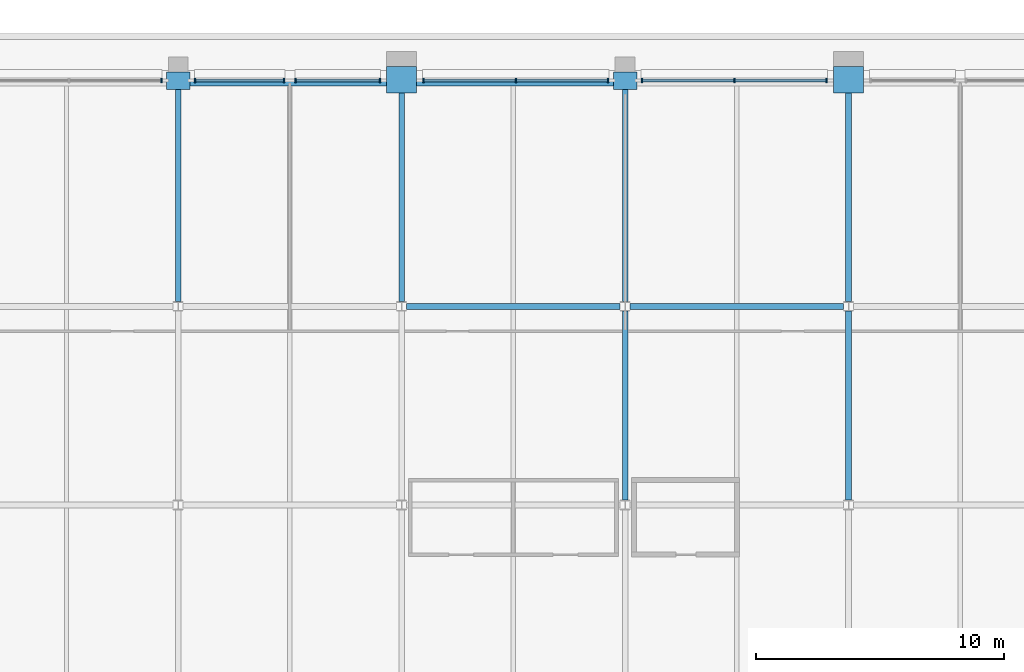
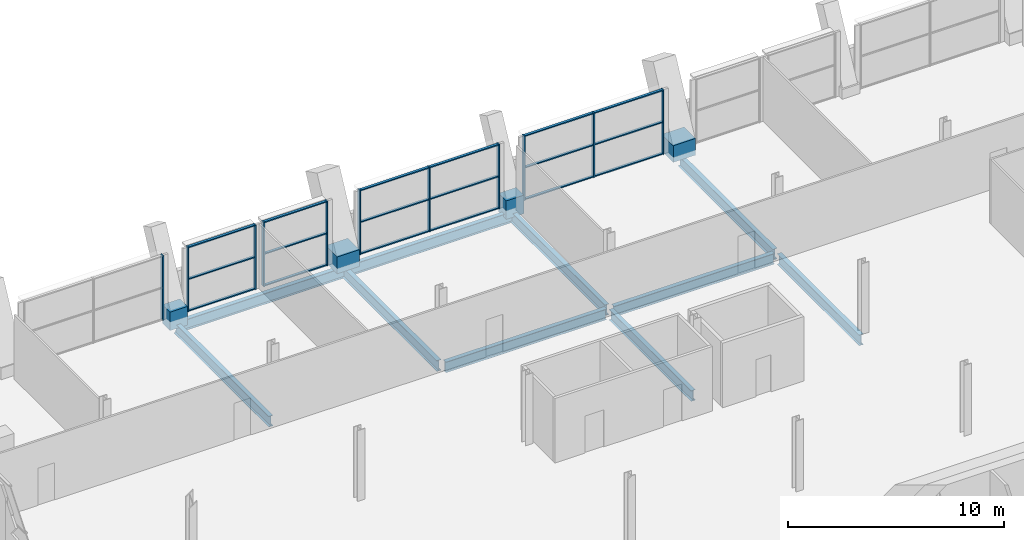
# One storey, part 10 of 25: 29 members, 13 beams, 5 elements without a shape of their own.
"""IFC4 building model written with IfcOpenShell, lengths in metres."""

from ifc_helpers import new_model, si_unit, direction, frame, origin, origin_2d, place, context, subcontext, project, spatial, rectangle, i_section, extrude, material, material_profile, profile_set, type_object, element, aggregate, save


model = new_model("IFC4")

# Units and contexts
model_context = context("Model", 3, precision=1e-05, world=origin(), true_north=direction((0.0, 1.0)))
body_context = subcontext(model_context, "Body", "Model", "MODEL_VIEW")
ifc_project = project(units=[si_unit("LENGTHUNIT", "METRE"), si_unit("AREAUNIT", "SQUARE_METRE"), si_unit("VOLUMEUNIT", "CUBIC_METRE"), si_unit("PLANEANGLEUNIT", "RADIAN"), si_unit("MASSUNIT", "GRAM", prefix="KILO")], contexts=[model_context])

# Site, building, storey
site_placement = place(None, origin())
site = spatial("IfcSite", under=ifc_project, at=site_placement, CompositionType="ELEMENT")
building_placement = place(site_placement, origin())
building = spatial("IfcBuilding", under=site, at=building_placement, Name="Zellij Exchange Tower", CompositionType="ELEMENT")
storey_placement = place(building_placement, frame((0.0, 0.0, 264.5)))
storey = spatial("IfcBuildingStorey", under=building, at=storey_placement, Name="L62", CompositionType="ELEMENT", Elevation=264.5)

# Curtain wall, members
ifc_material_1 = material(Name="Aluminium frame, clear insulating glass", Category="aluminium")
curtain_wall_type = type_object("IfcCurtainWallType", Name="ENV-CW6 Sky-lobby glazing", PredefinedType="NOTDEFINED", material=ifc_material_1)
curtain_wall_1_placement = place(storey_placement, origin())
curtain_wall_1 = element("IfcCurtainWall", 1, at=curtain_wall_1_placement, inside=storey, type_object=curtain_wall_type, Name="cw.L62.14e", PredefinedType="NOTDEFINED")
ifc_material_2 = material(Name="Aluminium", Category="aluminium")
ifc_material_profile_1 = material_profile(ifc_material_2, rectangle(XDim=0.06005859375, YDim=0.199951171875, at=origin_2d()), Name="AL 60x200")
ifc_profile_set_1 = profile_set([ifc_material_profile_1], Name="Aluminium")
member_type_1 = type_object("IfcMemberType", Name="ENV-CW6M Mullion 60x200", PredefinedType="MULLION", material=ifc_profile_set_1)
member_1_placement = place(storey_placement, frame((8.1201171875, 31.10009765625, 0.0), z_axis=(0.0, 0.0, 1.0), x_axis=(-1.0, 0.0, 0.0)))
member_1 = element("IfcMember", 2, at=member_1_placement, type_object=member_type_1, Name="CW6 mullion 1", PredefinedType="MULLION", context=body_context, shape_type="SweptSolid", body=[
    extrude(rectangle(XDim=0.06005859375, YDim=0.199951171875, at=origin_2d()), origin(), (0.0, 0.0, 1.0), 3.64990234375),
])
member_2_placement = place(storey_placement, frame((4.39990234375, 31.10009765625, 0.0), z_axis=(0.0, 0.0, 1.0), x_axis=(-1.0, 0.0, 0.0)))
member_2 = element("IfcMember", 3, at=member_2_placement, type_object=member_type_1, Name="CW6 mullion 2", PredefinedType="MULLION", context=body_context, shape_type="SweptSolid", body=[
    extrude(rectangle(XDim=0.06005859375, YDim=0.199951171875, at=origin_2d()), origin(), (0.0, 0.0, 1.0), 3.64990234375),
])
member_3_placement = place(storey_placement, frame((0.679931640625, 31.10009765625, 0.0), z_axis=(0.0, 0.0, 1.0), x_axis=(-1.0, 0.0, 0.0)))
member_3 = element("IfcMember", 4, at=member_3_placement, type_object=member_type_1, Name="CW6 mullion 3", PredefinedType="MULLION", context=body_context, shape_type="SweptSolid", body=[
    extrude(rectangle(XDim=0.06005859375, YDim=0.199951171875, at=origin_2d()), origin(), (0.0, 0.0, 1.0), 3.64990234375),
])

curtain_wall_2_placement = place(storey_placement, origin())
curtain_wall_2 = element("IfcCurtainWall", 5, at=curtain_wall_2_placement, inside=storey, type_object=curtain_wall_type, Name="cw.L62.14f", PredefinedType="NOTDEFINED")
member_4_placement = place(storey_placement, frame((-0.679931640625, 31.10009765625, 0.0), z_axis=(0.0, 0.0, 1.0), x_axis=(-1.0, 0.0, 0.0)))
member_4 = element("IfcMember", 6, at=member_4_placement, type_object=member_type_1, Name="CW6 mullion 1", PredefinedType="MULLION", context=body_context, shape_type="SweptSolid", body=[
    extrude(rectangle(XDim=0.06005859375, YDim=0.199951171875, at=origin_2d()), origin(), (0.0, 0.0, 1.0), 3.64990234375),
])
member_5_placement = place(storey_placement, frame((-4.39990234375, 31.10009765625, 0.0), z_axis=(0.0, 0.0, 1.0), x_axis=(-1.0, 0.0, 0.0)))
member_5 = element("IfcMember", 7, at=member_5_placement, type_object=member_type_1, Name="CW6 mullion 2", PredefinedType="MULLION", context=body_context, shape_type="SweptSolid", body=[
    extrude(rectangle(XDim=0.06005859375, YDim=0.199951171875, at=origin_2d()), origin(), (0.0, 0.0, 1.0), 3.64990234375),
])
member_6_placement = place(storey_placement, frame((-8.1201171875, 31.10009765625, 0.0), z_axis=(0.0, 0.0, 1.0), x_axis=(-1.0, 0.0, 0.0)))
member_6 = element("IfcMember", 8, at=member_6_placement, type_object=member_type_1, Name="CW6 mullion 3", PredefinedType="MULLION", context=body_context, shape_type="SweptSolid", body=[
    extrude(rectangle(XDim=0.06005859375, YDim=0.199951171875, at=origin_2d()), origin(), (0.0, 0.0, 1.0), 3.64990234375),
])

curtain_wall_3_placement = place(storey_placement, origin())
curtain_wall_3 = element("IfcCurtainWall", 9, at=curtain_wall_3_placement, inside=storey, type_object=curtain_wall_type, Name="cw.L62.14g", PredefinedType="NOTDEFINED")
member_7_placement = place(storey_placement, frame((-9.8798828125, 31.10009765625, 0.0), z_axis=(0.0, 0.0, 1.0), x_axis=(-1.0, 0.0, 0.0)))
member_7 = element("IfcMember", 10, at=member_7_placement, type_object=member_type_1, Name="CW6 mullion 1", PredefinedType="MULLION", context=body_context, shape_type="SweptSolid", body=[
    extrude(rectangle(XDim=0.06005859375, YDim=0.199951171875, at=origin_2d()), origin(), (0.0, 0.0, 1.0), 3.64990234375),
])
member_8_placement = place(storey_placement, frame((-13.27001953125, 31.10009765625, 0.0), z_axis=(0.0, 0.0, 1.0), x_axis=(-1.0, 0.0, 0.0)))
member_8 = element("IfcMember", 11, at=member_8_placement, type_object=member_type_1, Name="CW6 mullion 2", PredefinedType="MULLION", context=body_context, shape_type="SweptSolid", body=[
    extrude(rectangle(XDim=0.06005859375, YDim=0.199951171875, at=origin_2d()), origin(), (0.0, 0.0, 1.0), 3.64990234375),
])

curtain_wall_4_placement = place(storey_placement, origin())
curtain_wall_4 = element("IfcCurtainWall", 12, at=curtain_wall_4_placement, inside=storey, type_object=curtain_wall_type, Name="cw.L62.14h", PredefinedType="NOTDEFINED")
member_9_placement = place(storey_placement, frame((-13.72998046875, 31.10009765625, 0.0), z_axis=(0.0, 0.0, 1.0), x_axis=(-1.0, 0.0, 0.0)))
member_9 = element("IfcMember", 13, at=member_9_placement, type_object=member_type_1, Name="CW6 mullion 1", PredefinedType="MULLION", context=body_context, shape_type="SweptSolid", body=[
    extrude(rectangle(XDim=0.06005859375, YDim=0.199951171875, at=origin_2d()), origin(), (0.0, 0.0, 1.0), 3.64990234375),
])
member_10_placement = place(storey_placement, frame((-17.320068359375, 31.10009765625, 0.0), z_axis=(0.0, 0.0, 1.0), x_axis=(-1.0, 0.0, 0.0)))
member_10 = element("IfcMember", 14, at=member_10_placement, type_object=member_type_1, Name="CW6 mullion 2", PredefinedType="MULLION", context=body_context, shape_type="SweptSolid", body=[
    extrude(rectangle(XDim=0.06005859375, YDim=0.199951171875, at=origin_2d()), origin(), (0.0, 0.0, 1.0), 3.64990234375),
])

# Curtain wall, member
curtain_wall_5_placement = place(storey_placement, origin())
curtain_wall_5 = element("IfcCurtainWall", 15, at=curtain_wall_5_placement, inside=storey, type_object=curtain_wall_type, Name="cw.L62.14i", PredefinedType="NOTDEFINED")
member_11_placement = place(storey_placement, frame((-18.679931640625, 31.10009765625, 0.0), z_axis=(0.0, 0.0, 1.0), x_axis=(-1.0, 0.0, 0.0)))
member_11 = element("IfcMember", 16, at=member_11_placement, type_object=member_type_1, Name="CW6 mullion 1", PredefinedType="MULLION", context=body_context, shape_type="SweptSolid", body=[
    extrude(rectangle(XDim=0.06005859375, YDim=0.199951171875, at=origin_2d()), origin(), (0.0, 0.0, 1.0), 3.64990234375),
])
aggregate(curtain_wall_5, [member_11])

# Member
ifc_material_profile_2 = material_profile(ifc_material_2, rectangle(XDim=0.139892578125, YDim=0.06005859375, at=origin_2d()), Name="AL 140x60")
ifc_profile_set_2 = profile_set([ifc_material_profile_2], Name="Aluminium")
member_type_2 = type_object("IfcMemberType", Name="ENV-CW6T Transom 140x60", PredefinedType="USERDEFINED", material=ifc_profile_set_2)
member_12_placement = place(storey_placement, frame((8.090087890625, 31.10009765625, 0.030029296875), z_axis=(-1.0, 0.0, 0.0), x_axis=(0.0, -1.0, 0.0)))
member_12 = element("IfcMember", 17, at=member_12_placement, type_object=member_type_2, Name="CW6 transom 1.1", ObjectType="TRANSOM", PredefinedType="USERDEFINED", context=body_context, shape_type="SweptSolid", body=[
    extrude(rectangle(XDim=0.139892578125, YDim=0.06005859375, at=origin_2d()), origin(), (0.0, 0.0, 1.0), 3.66015625),
])

member_13_placement = place(storey_placement, frame((8.090087890625, 31.10009765625, 1.824951171875), z_axis=(-1.0, 0.0, 0.0), x_axis=(0.0, -1.0, 0.0)))
member_13 = element("IfcMember", 18, at=member_13_placement, type_object=member_type_2, Name="CW6 transom 1.2", ObjectType="TRANSOM", PredefinedType="USERDEFINED", context=body_context, shape_type="SweptSolid", body=[
    extrude(rectangle(XDim=0.139892578125, YDim=0.06005859375, at=origin_2d()), origin(), (0.0, 0.0, 1.0), 3.66015625),
])

member_14_placement = place(storey_placement, frame((8.090087890625, 31.10009765625, 3.6201171875), z_axis=(-1.0, 0.0, 0.0), x_axis=(0.0, -1.0, 0.0)))
member_14 = element("IfcMember", 19, at=member_14_placement, type_object=member_type_2, Name="CW6 transom 1.3", ObjectType="TRANSOM", PredefinedType="USERDEFINED", context=body_context, shape_type="SweptSolid", body=[
    extrude(rectangle(XDim=0.139892578125, YDim=0.06005859375, at=origin_2d()), origin(), (0.0, 0.0, 1.0), 3.66015625),
])

member_15_placement = place(storey_placement, frame((4.3701171875, 31.10009765625, 0.030029296875), z_axis=(-1.0, 0.0, 0.0), x_axis=(0.0, -1.0, 0.0)))
member_15 = element("IfcMember", 20, at=member_15_placement, type_object=member_type_2, Name="CW6 transom 2.1", ObjectType="TRANSOM", PredefinedType="USERDEFINED", context=body_context, shape_type="SweptSolid", body=[
    extrude(rectangle(XDim=0.139892578125, YDim=0.06005859375, at=origin_2d()), origin(), (0.0, 0.0, 1.0), 3.66015625),
])

member_16_placement = place(storey_placement, frame((4.3701171875, 31.10009765625, 1.824951171875), z_axis=(-1.0, 0.0, 0.0), x_axis=(0.0, -1.0, 0.0)))
member_16 = element("IfcMember", 21, at=member_16_placement, type_object=member_type_2, Name="CW6 transom 2.2", ObjectType="TRANSOM", PredefinedType="USERDEFINED", context=body_context, shape_type="SweptSolid", body=[
    extrude(rectangle(XDim=0.139892578125, YDim=0.06005859375, at=origin_2d()), origin(), (0.0, 0.0, 1.0), 3.66015625),
])

member_17_placement = place(storey_placement, frame((4.3701171875, 31.10009765625, 3.6201171875), z_axis=(-1.0, 0.0, 0.0), x_axis=(0.0, -1.0, 0.0)))
member_17 = element("IfcMember", 22, at=member_17_placement, type_object=member_type_2, Name="CW6 transom 2.3", ObjectType="TRANSOM", PredefinedType="USERDEFINED", context=body_context, shape_type="SweptSolid", body=[
    extrude(rectangle(XDim=0.139892578125, YDim=0.06005859375, at=origin_2d()), origin(), (0.0, 0.0, 1.0), 3.66015625),
])

aggregate(curtain_wall_1, [member_1, member_2, member_3, member_12, member_13, member_14, member_15, member_16, member_17])

member_18_placement = place(storey_placement, frame((-0.7099609375, 31.10009765625, 0.030029296875), z_axis=(-1.0, 0.0, 0.0), x_axis=(0.0, -1.0, 0.0)))
member_18 = element("IfcMember", 23, at=member_18_placement, type_object=member_type_2, Name="CW6 transom 1.1", ObjectType="TRANSOM", PredefinedType="USERDEFINED", context=body_context, shape_type="SweptSolid", body=[
    extrude(rectangle(XDim=0.139892578125, YDim=0.06005859375, at=origin_2d()), origin(), (0.0, 0.0, 1.0), 3.66015625),
])

member_19_placement = place(storey_placement, frame((-0.7099609375, 31.10009765625, 1.824951171875), z_axis=(-1.0, 0.0, 0.0), x_axis=(0.0, -1.0, 0.0)))
member_19 = element("IfcMember", 24, at=member_19_placement, type_object=member_type_2, Name="CW6 transom 1.2", ObjectType="TRANSOM", PredefinedType="USERDEFINED", context=body_context, shape_type="SweptSolid", body=[
    extrude(rectangle(XDim=0.139892578125, YDim=0.06005859375, at=origin_2d()), origin(), (0.0, 0.0, 1.0), 3.66015625),
])

member_20_placement = place(storey_placement, frame((-0.7099609375, 31.10009765625, 3.6201171875), z_axis=(-1.0, 0.0, 0.0), x_axis=(0.0, -1.0, 0.0)))
member_20 = element("IfcMember", 25, at=member_20_placement, type_object=member_type_2, Name="CW6 transom 1.3", ObjectType="TRANSOM", PredefinedType="USERDEFINED", context=body_context, shape_type="SweptSolid", body=[
    extrude(rectangle(XDim=0.139892578125, YDim=0.06005859375, at=origin_2d()), origin(), (0.0, 0.0, 1.0), 3.66015625),
])

member_21_placement = place(storey_placement, frame((-4.429931640625, 31.10009765625, 0.030029296875), z_axis=(-1.0, 0.0, 0.0), x_axis=(0.0, -1.0, 0.0)))
member_21 = element("IfcMember", 26, at=member_21_placement, type_object=member_type_2, Name="CW6 transom 2.1", ObjectType="TRANSOM", PredefinedType="USERDEFINED", context=body_context, shape_type="SweptSolid", body=[
    extrude(rectangle(XDim=0.139892578125, YDim=0.06005859375, at=origin_2d()), origin(), (0.0, 0.0, 1.0), 3.66015625),
])

member_22_placement = place(storey_placement, frame((-4.429931640625, 31.10009765625, 1.824951171875), z_axis=(-1.0, 0.0, 0.0), x_axis=(0.0, -1.0, 0.0)))
member_22 = element("IfcMember", 27, at=member_22_placement, type_object=member_type_2, Name="CW6 transom 2.2", ObjectType="TRANSOM", PredefinedType="USERDEFINED", context=body_context, shape_type="SweptSolid", body=[
    extrude(rectangle(XDim=0.139892578125, YDim=0.06005859375, at=origin_2d()), origin(), (0.0, 0.0, 1.0), 3.66015625),
])

member_23_placement = place(storey_placement, frame((-4.429931640625, 31.10009765625, 3.6201171875), z_axis=(-1.0, 0.0, 0.0), x_axis=(0.0, -1.0, 0.0)))
member_23 = element("IfcMember", 28, at=member_23_placement, type_object=member_type_2, Name="CW6 transom 2.3", ObjectType="TRANSOM", PredefinedType="USERDEFINED", context=body_context, shape_type="SweptSolid", body=[
    extrude(rectangle(XDim=0.139892578125, YDim=0.06005859375, at=origin_2d()), origin(), (0.0, 0.0, 1.0), 3.66015625),
])

aggregate(curtain_wall_2, [member_4, member_5, member_6, member_18, member_19, member_20, member_21, member_22, member_23])

member_24_placement = place(storey_placement, frame((-9.909912109375, 31.10009765625, 0.030029296875), z_axis=(-1.0, 0.0, 0.0), x_axis=(0.0, -1.0, 0.0)))
member_24 = element("IfcMember", 29, at=member_24_placement, type_object=member_type_2, Name="CW6 transom 1.1", ObjectType="TRANSOM", PredefinedType="USERDEFINED", context=body_context, shape_type="SweptSolid", body=[
    extrude(rectangle(XDim=0.139892578125, YDim=0.06005859375, at=origin_2d()), origin(), (0.0, 0.0, 1.0), 3.330078125),
])

member_25_placement = place(storey_placement, frame((-9.909912109375, 31.10009765625, 1.824951171875), z_axis=(-1.0, 0.0, 0.0), x_axis=(0.0, -1.0, 0.0)))
member_25 = element("IfcMember", 30, at=member_25_placement, type_object=member_type_2, Name="CW6 transom 1.2", ObjectType="TRANSOM", PredefinedType="USERDEFINED", context=body_context, shape_type="SweptSolid", body=[
    extrude(rectangle(XDim=0.139892578125, YDim=0.06005859375, at=origin_2d()), origin(), (0.0, 0.0, 1.0), 3.330078125),
])

member_26_placement = place(storey_placement, frame((-9.909912109375, 31.10009765625, 3.6201171875), z_axis=(-1.0, 0.0, 0.0), x_axis=(0.0, -1.0, 0.0)))
member_26 = element("IfcMember", 31, at=member_26_placement, type_object=member_type_2, Name="CW6 transom 1.3", ObjectType="TRANSOM", PredefinedType="USERDEFINED", context=body_context, shape_type="SweptSolid", body=[
    extrude(rectangle(XDim=0.139892578125, YDim=0.06005859375, at=origin_2d()), origin(), (0.0, 0.0, 1.0), 3.330078125),
])

aggregate(curtain_wall_3, [member_7, member_8, member_24, member_25, member_26])

member_27_placement = place(storey_placement, frame((-13.760009765625, 31.10009765625, 0.030029296875), z_axis=(-1.0, 0.0, 0.0), x_axis=(0.0, -1.0, 0.0)))
member_27 = element("IfcMember", 32, at=member_27_placement, type_object=member_type_2, Name="CW6 transom 1.1", ObjectType="TRANSOM", PredefinedType="USERDEFINED", context=body_context, shape_type="SweptSolid", body=[
    extrude(rectangle(XDim=0.139892578125, YDim=0.06005859375, at=origin_2d()), origin(), (0.0, 0.0, 1.0), 3.530029296875),
])

member_28_placement = place(storey_placement, frame((-13.760009765625, 31.10009765625, 1.824951171875), z_axis=(-1.0, 0.0, 0.0), x_axis=(0.0, -1.0, 0.0)))
member_28 = element("IfcMember", 33, at=member_28_placement, type_object=member_type_2, Name="CW6 transom 1.2", ObjectType="TRANSOM", PredefinedType="USERDEFINED", context=body_context, shape_type="SweptSolid", body=[
    extrude(rectangle(XDim=0.139892578125, YDim=0.06005859375, at=origin_2d()), origin(), (0.0, 0.0, 1.0), 3.530029296875),
])

member_29_placement = place(storey_placement, frame((-13.760009765625, 31.10009765625, 3.6201171875), z_axis=(-1.0, 0.0, 0.0), x_axis=(0.0, -1.0, 0.0)))
member_29 = element("IfcMember", 34, at=member_29_placement, type_object=member_type_2, Name="CW6 transom 1.3", ObjectType="TRANSOM", PredefinedType="USERDEFINED", context=body_context, shape_type="SweptSolid", body=[
    extrude(rectangle(XDim=0.139892578125, YDim=0.06005859375, at=origin_2d()), origin(), (0.0, 0.0, 1.0), 3.530029296875),
])

aggregate(curtain_wall_4, [member_9, member_10, member_27, member_28, member_29])

# Beams
ifc_material_3 = material(Name="Structural steel ASTM A992 Gr 50", Category="steel")
ifc_material_profile_3 = material_profile(ifc_material_3, i_section(OverallWidth=0.228271484375, OverallDepth=0.607177734375, WebThickness=0.01123046875, FlangeThickness=0.017333984375, at=origin_2d()), Name="W24x76")
ifc_profile_set_3 = profile_set([ifc_material_profile_3], Name="Structural steel ASTM A992 Gr 50")
beam_type_1 = type_object("IfcBeamType", Name="STR-GIRDER W24x76", PredefinedType="BEAM", material=ifc_profile_set_3)
for number, where, z_axis, x_axis, name in (
    (35, (-8.800537109375, 22.0, -0.603515625), (1.0, 0.0, 0.0), (0.0, 1.0, 0.0), "G2"),
    (36, (0.199462890625, 22.0, -0.603515625), (1.0, 0.0, 0.0), (0.0, 1.0, 0.0), "G2"),
):
    element("IfcBeam", number, at=place(storey_placement, frame(where, z_axis=z_axis, x_axis=x_axis)), inside=storey, type_object=beam_type_1, Name=name, PredefinedType="BEAM", context=body_context, shape_type="SweptSolid", body=[
        extrude(i_section(OverallWidth=0.228271484375, OverallDepth=0.607177734375, WebThickness=0.01123046875, FlangeThickness=0.017333984375, at=origin_2d()), origin(), (0.0, 0.0, 1.0), 8.60107421875),
    ])
beam_1_placement = place(storey_placement, frame((-18.0, 31.0, -0.603515625), z_axis=(1.0, 0.0, 0.0), x_axis=(0.0, 1.0, 0.0)))
element("IfcBeam", 37, at=beam_1_placement, inside=storey, type_object=beam_type_1, Name="G2", PredefinedType="BEAM", context=body_context, shape_type="SweptSolid", body=[
    extrude(i_section(OverallWidth=0.228271484375, OverallDepth=0.607177734375, WebThickness=0.01123046875, FlangeThickness=0.017333984375, at=origin_2d()), origin(), (0.0, 0.0, 1.0), 18.0),
])
for number, where, z_axis, x_axis, name in (
    (38, (-18.0, 22.193115234375, -0.603515625), (0.0, 1.0, 0.0), (-1.0, 0.0, 0.0), "G2"),
    (39, (-9.0, 22.193115234375, -0.603515625), (0.0, 1.0, 0.0), (-1.0, 0.0, 0.0), "G2"),
):
    element("IfcBeam", number, at=place(storey_placement, frame(where, z_axis=z_axis, x_axis=x_axis)), inside=storey, type_object=beam_type_1, Name=name, PredefinedType="BEAM", context=body_context, shape_type="SweptSolid", body=[
        extrude(i_section(OverallWidth=0.228271484375, OverallDepth=0.607177734375, WebThickness=0.01123046875, FlangeThickness=0.017333984375, at=origin_2d()), origin(), (0.0, 0.0, 1.0), 8.806884765625),
    ])
beam_2_placement = place(storey_placement, frame((0.0, 14.193115234375, -0.603515625), z_axis=(0.0, 1.0, 0.0), x_axis=(-1.0, 0.0, 0.0)))
element("IfcBeam", 40, at=beam_2_placement, inside=storey, type_object=beam_type_1, Name="G2", PredefinedType="BEAM", context=body_context, shape_type="SweptSolid", body=[
    extrude(i_section(OverallWidth=0.228271484375, OverallDepth=0.607177734375, WebThickness=0.01123046875, FlangeThickness=0.017333984375, at=origin_2d()), origin(), (0.0, 0.0, 1.0), 7.61376953125),
])
beam_3_placement = place(storey_placement, frame((0.0, 22.193115234375, -0.603515625), z_axis=(0.0, 1.0, 0.0), x_axis=(-1.0, 0.0, 0.0)))
element("IfcBeam", 41, at=beam_3_placement, inside=storey, type_object=beam_type_1, Name="G2", PredefinedType="BEAM", context=body_context, shape_type="SweptSolid", body=[
    extrude(i_section(OverallWidth=0.228271484375, OverallDepth=0.607177734375, WebThickness=0.01123046875, FlangeThickness=0.017333984375, at=origin_2d()), origin(), (0.0, 0.0, 1.0), 8.806884765625),
])
beam_4_placement = place(storey_placement, frame((9.0, 14.193115234375, -0.603515625), z_axis=(0.0, 1.0, 0.0), x_axis=(-1.0, 0.0, 0.0)))
element("IfcBeam", 42, at=beam_4_placement, inside=storey, type_object=beam_type_1, Name="G2", PredefinedType="BEAM", context=body_context, shape_type="SweptSolid", body=[
    extrude(i_section(OverallWidth=0.228271484375, OverallDepth=0.607177734375, WebThickness=0.01123046875, FlangeThickness=0.017333984375, at=origin_2d()), origin(), (0.0, 0.0, 1.0), 7.61376953125),
])
beam_5_placement = place(storey_placement, frame((9.0, 22.193115234375, -0.603515625), z_axis=(0.0, 1.0, 0.0), x_axis=(-1.0, 0.0, 0.0)))
element("IfcBeam", 43, at=beam_5_placement, inside=storey, type_object=beam_type_1, Name="G2", PredefinedType="BEAM", context=body_context, shape_type="SweptSolid", body=[
    extrude(i_section(OverallWidth=0.228271484375, OverallDepth=0.607177734375, WebThickness=0.01123046875, FlangeThickness=0.017333984375, at=origin_2d()), origin(), (0.0, 0.0, 1.0), 8.806884765625),
])
ifc_material_4 = material(Name="Concrete C50/60", Category="concrete")
ifc_material_profile_4 = material_profile(ifc_material_4, rectangle(XDim=1.199951171875, YDim=0.949951171875, at=origin_2d()), Name="STR-KNUCKLE BLOCK RC1200x950 C50/60")
ifc_profile_set_4 = profile_set([ifc_material_profile_4], Name="Concrete C50/60")
beam_type_2 = type_object("IfcBeamType", Name="STR-KNUCKLE BLOCK RC1200x950 C50/60", PredefinedType="BEAM", material=ifc_profile_set_4)
for number, where, z_axis, x_axis, name in (
    (44, (-9.0, 30.597412109375, 0.175048828125), (0.0, 1.0, 0.0), (-1.0, 0.0, 0.0), "KB6"),
    (45, (9.0, 30.597412109375, 0.175048828125), (0.0, 1.0, 0.0), (-1.0, 0.0, 0.0), "KB6"),
):
    element("IfcBeam", number, at=place(storey_placement, frame(where, z_axis=z_axis, x_axis=x_axis)), inside=storey, type_object=beam_type_2, Name=name, PredefinedType="BEAM", context=body_context, shape_type="SweptSolid", body=[
        extrude(rectangle(XDim=1.199951171875, YDim=0.949951171875, at=origin_2d()), origin(), (0.0, 0.0, 1.0), 1.073486328125),
    ])
ifc_material_profile_5 = material_profile(ifc_material_4, rectangle(XDim=0.949951171875, YDim=1.050048828125, at=origin_2d()), Name="STR-KNUCKLE BLOCK RC950x1050 C50/60")
ifc_profile_set_5 = profile_set([ifc_material_profile_5], Name="Concrete C50/60")
beam_type_3 = type_object("IfcBeamType", Name="STR-KNUCKLE BLOCK RC950x1050 C50/60", PredefinedType="BEAM", material=ifc_profile_set_5)
for number, where, z_axis, x_axis, name in (
    (46, (-18.0, 30.731689453125, 0.02490234375), (0.0, 1.0, 0.0), (-1.0, 0.0, 0.0), "KB1"),
    (47, (0.0, 30.731689453125, 0.02490234375), (0.0, 1.0, 0.0), (-1.0, 0.0, 0.0), "KB1"),
):
    element("IfcBeam", number, at=place(storey_placement, frame(where, z_axis=z_axis, x_axis=x_axis)), inside=storey, type_object=beam_type_3, Name=name, PredefinedType="BEAM", context=body_context, shape_type="SweptSolid", body=[
        extrude(rectangle(XDim=0.949951171875, YDim=1.050048828125, at=origin_2d()), origin(), (0.0, 0.0, 1.0), 0.715576171875),
    ])

save(model, "model.ifc")
